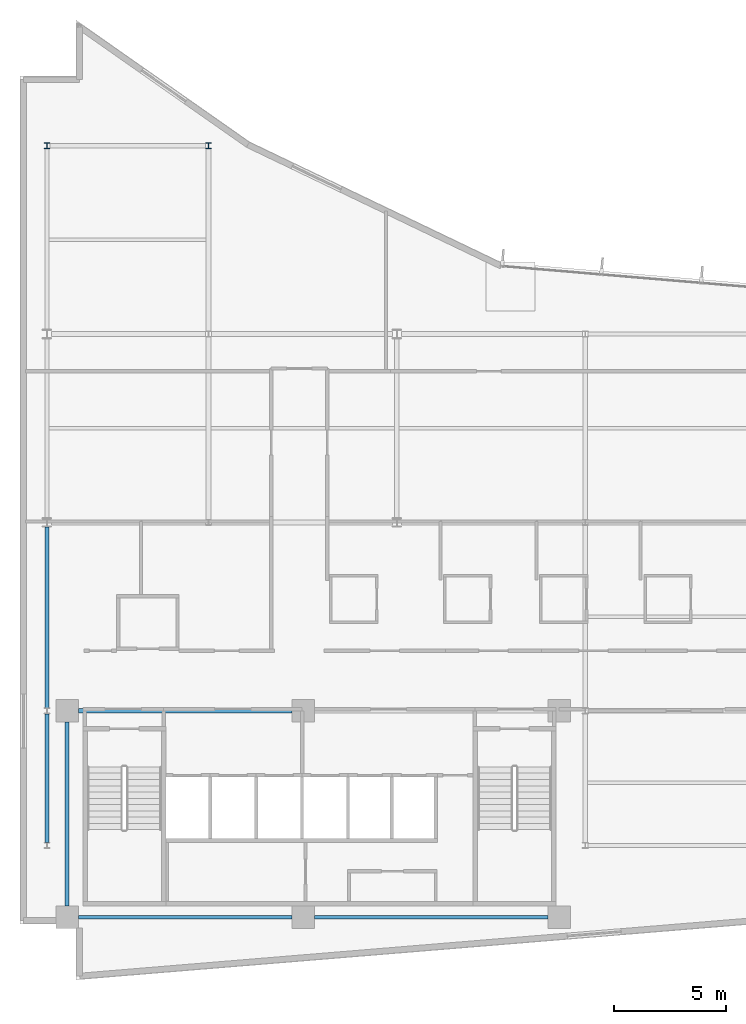
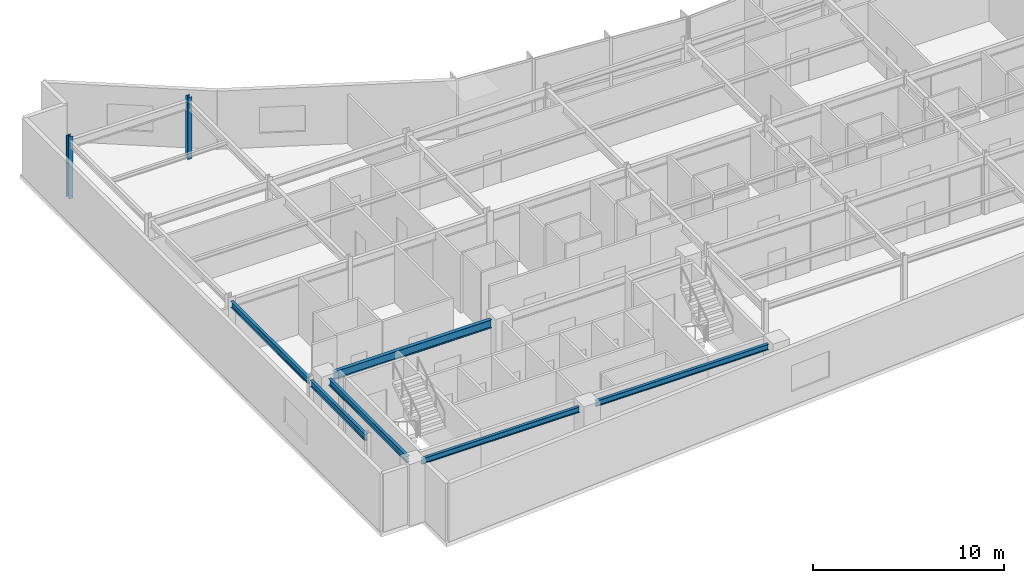
# One storey, part 3 of 15: 6 beams, 2 columns.
"""IFC4 building model written with IfcOpenShell, lengths in metres."""

from ifc_helpers import new_model, si_unit, direction, frame, origin, origin_2d, place, context, subcontext, project, spatial, i_section, extrude, material, material_profile, profile_set, type_object, element, save


model = new_model("IFC4")

# Units and contexts
model_context = context("Model", 3, precision=1e-05, world=origin(), true_north=direction((0.0, 1.0)))
body_context = subcontext(model_context, "Body", "Model", "MODEL_VIEW")
ifc_project = project(units=[si_unit("LENGTHUNIT", "METRE"), si_unit("AREAUNIT", "SQUARE_METRE"), si_unit("VOLUMEUNIT", "CUBIC_METRE"), si_unit("PLANEANGLEUNIT", "RADIAN"), si_unit("MASSUNIT", "GRAM", prefix="KILO")], contexts=[model_context])

# Site, building, storey
site_placement = place(None, origin())
site = spatial("IfcSite", under=ifc_project, at=site_placement, CompositionType="ELEMENT")
building_placement = place(site_placement, origin())
building = spatial("IfcBuilding", under=site, at=building_placement, Name="Varnakote Quay Hospital", CompositionType="ELEMENT")
storey_placement = place(building_placement, frame((0.0, 0.0, 200.0)))
storey = spatial("IfcBuildingStorey", under=building, at=storey_placement, Name="L49", CompositionType="ELEMENT", Elevation=200.0)

# Columns
ifc_material_1 = material(Name="Structural steel AS/NZS 3679.1 Grade 350 L0 (fy 340 MPa)", Category="steel")
ifc_material_profile_1 = material_profile(ifc_material_1, i_section(OverallWidth=0.256103515625, OverallDepth=0.260009765625, WebThickness=0.010498046875, FlangeThickness=0.017333984375, FilletRadius=0.0126953125, at=origin_2d()), Name="250UC89.5")
ifc_profile_set_1 = profile_set([ifc_material_profile_1], Name="Structural steel AS/NZS 3679.1 Grade 350 L0 (fy 340 MPa)")
column_type = type_object("IfcColumnType", Name="COL-STL-250UC89-5", PredefinedType="COLUMN", material=ifc_profile_set_1)
for number, where, z_axis, x_axis, name in (
    (1, (1.199951171875, 37.199951171875, 0.0), (0.0, 0.0, 1.0), (1.0, 0.0, 0.0), "L49 Structural Column C-1-37"),
    (2, (8.39990234375, 37.199951171875, 0.0), (0.0, 0.0, 1.0), (1.0, 0.0, 0.0), "L49 Structural Column C-8-37"),
):
    element("IfcColumn", number, at=place(storey_placement, frame(where, z_axis=z_axis, x_axis=x_axis)), inside=storey, type_object=column_type, Name=name, PredefinedType="COLUMN", context=body_context, shape_type="SweptSolid", body=[
        extrude(i_section(OverallWidth=0.256103515625, OverallDepth=0.260009765625, WebThickness=0.010498046875, FlangeThickness=0.017333984375, FilletRadius=0.0126953125, at=origin_2d()), origin(), (0.0, 0.0, 1.0), 3.949951171875),
    ])

# Beams
ifc_material_2 = material(Name="Structural steel AS/NZS 3679.1 Grade 350 L0 (fy 340 MPa)", Category="steel")
ifc_material_profile_2 = material_profile(ifc_material_2, i_section(OverallWidth=0.208984375, OverallDepth=0.532958984375, WebThickness=0.01025390625, FlangeThickness=0.015625, FilletRadius=0.013916015625, at=origin_2d()), Name="530UB92.4")
ifc_profile_set_2 = profile_set([ifc_material_profile_2], Name="Structural steel AS/NZS 3679.1 Grade 350 L0 (fy 340 MPa)")
beam_type_1 = type_object("IfcBeamType", Name="BM-STL-530UB92-4", PredefinedType="BEAM", material=ifc_profile_set_2)
beam_1_placement = place(storey_placement, frame((2.60009765625, 12.0, 3.443603515625), z_axis=(1.0, 0.0, 0.0), x_axis=(0.0, 1.0, 0.0)))
element("IfcBeam", 3, at=beam_1_placement, inside=storey, type_object=beam_type_1, Name="L49 Primary Floor Beam", PredefinedType="BEAM", context=body_context, shape_type="SweptSolid", body=[
    extrude(i_section(OverallWidth=0.208984375, OverallDepth=0.532958984375, WebThickness=0.01025390625, FlangeThickness=0.015625, FilletRadius=0.013916015625, at=origin_2d()), origin(), (0.0, 0.0, 1.0), 9.52001953125),
])
ifc_material_3 = material(Name="Structural steel AS/NZS 3679.1 Grade 350 L0 (fy 340 MPa)", Category="steel")
ifc_material_profile_3 = material_profile(ifc_material_3, i_section(OverallWidth=0.172119140625, OverallDepth=0.35888671875, WebThickness=0.008056640625, FlangeThickness=0.012939453125, FilletRadius=0.011474609375, at=origin_2d()), Name="360UB56.7")
ifc_profile_set_3 = profile_set([ifc_material_profile_3], Name="Structural steel AS/NZS 3679.1 Grade 350 L0 (fy 340 MPa)")
beam_type_2 = type_object("IfcBeamType", Name="SPN-STL-360UB56-7", PredefinedType="SPANDREL", material=ifc_profile_set_3)
beam_2_placement = place(storey_placement, frame((2.60009765625, 2.800048828125, 3.530517578125), z_axis=(1.0, 0.0, 0.0), x_axis=(0.0, 1.0, 0.0)))
element("IfcBeam", 4, at=beam_2_placement, inside=storey, type_object=beam_type_2, Name="L49 Perimeter Spandrel Beam", PredefinedType="SPANDREL", context=body_context, shape_type="SweptSolid", body=[
    extrude(i_section(OverallWidth=0.172119140625, OverallDepth=0.35888671875, WebThickness=0.008056640625, FlangeThickness=0.012939453125, FilletRadius=0.011474609375, at=origin_2d()), origin(), (0.0, 0.0, 1.0), 9.52001953125),
])
beam_3_placement = place(storey_placement, frame((13.1201171875, 2.800048828125, 3.530517578125), z_axis=(1.0, 0.0, 0.0), x_axis=(0.0, 1.0, 0.0)))
element("IfcBeam", 5, at=beam_3_placement, inside=storey, type_object=beam_type_2, Name="L49 Perimeter Spandrel Beam", PredefinedType="SPANDREL", context=body_context, shape_type="SweptSolid", body=[
    extrude(i_section(OverallWidth=0.172119140625, OverallDepth=0.35888671875, WebThickness=0.008056640625, FlangeThickness=0.012939453125, FilletRadius=0.011474609375, at=origin_2d()), origin(), (0.0, 0.0, 1.0), 10.429931640625),
])
ifc_material_4 = material(Name="Structural steel AS/NZS 3679.1 Grade 350 L0 (fy 340 MPa)", Category="steel")
ifc_material_profile_4 = material_profile(ifc_material_4, i_section(OverallWidth=0.177978515625, OverallDepth=0.403076171875, WebThickness=0.007568359375, FlangeThickness=0.010986328125, FilletRadius=0.011474609375, at=origin_2d()), Name="410UB53.7")
ifc_profile_set_4 = profile_set([ifc_material_profile_4], Name="Structural steel AS/NZS 3679.1 Grade 350 L0 (fy 340 MPa)")
beam_type_3 = type_object("IfcBeamType", Name="SPN-STL-410UB53-7", PredefinedType="SPANDREL", material=ifc_profile_set_4)
beam_4_placement = place(storey_placement, frame((1.199951171875, 6.1298828125, 3.508544921875), z_axis=(0.0, 1.0, 0.0), x_axis=(-1.0, 0.0, 0.0)))
element("IfcBeam", 6, at=beam_4_placement, inside=storey, type_object=beam_type_3, Name="L49 Perimeter Spandrel Beam", PredefinedType="SPANDREL", context=body_context, shape_type="SweptSolid", body=[
    extrude(i_section(OverallWidth=0.177978515625, OverallDepth=0.403076171875, WebThickness=0.007568359375, FlangeThickness=0.010986328125, FilletRadius=0.011474609375, at=origin_2d()), origin(), (0.0, 0.0, 1.0), 5.740234375),
])
beam_5_placement = place(storey_placement, frame((1.199951171875, 12.1298828125, 3.508544921875), z_axis=(0.0, 1.0, 0.0), x_axis=(-1.0, 0.0, 0.0)))
element("IfcBeam", 7, at=beam_5_placement, inside=storey, type_object=beam_type_3, Name="L49 Perimeter Spandrel Beam", PredefinedType="SPANDREL", context=body_context, shape_type="SweptSolid", body=[
    extrude(i_section(OverallWidth=0.177978515625, OverallDepth=0.403076171875, WebThickness=0.007568359375, FlangeThickness=0.010986328125, FilletRadius=0.011474609375, at=origin_2d()), origin(), (0.0, 0.0, 1.0), 8.068115234375),
])
beam_6_placement = place(storey_placement, frame((2.10009765625, 3.300048828125, 3.508544921875), z_axis=(0.0, 1.0, 0.0), x_axis=(-1.0, 0.0, 0.0)))
element("IfcBeam", 8, at=beam_6_placement, inside=storey, type_object=beam_type_3, Name="L49 Perimeter Spandrel Beam", PredefinedType="SPANDREL", context=body_context, shape_type="SweptSolid", body=[
    extrude(i_section(OverallWidth=0.177978515625, OverallDepth=0.403076171875, WebThickness=0.007568359375, FlangeThickness=0.010986328125, FilletRadius=0.011474609375, at=origin_2d()), origin(), (0.0, 0.0, 1.0), 8.199951171875),
])

save(model, "model.ifc")
